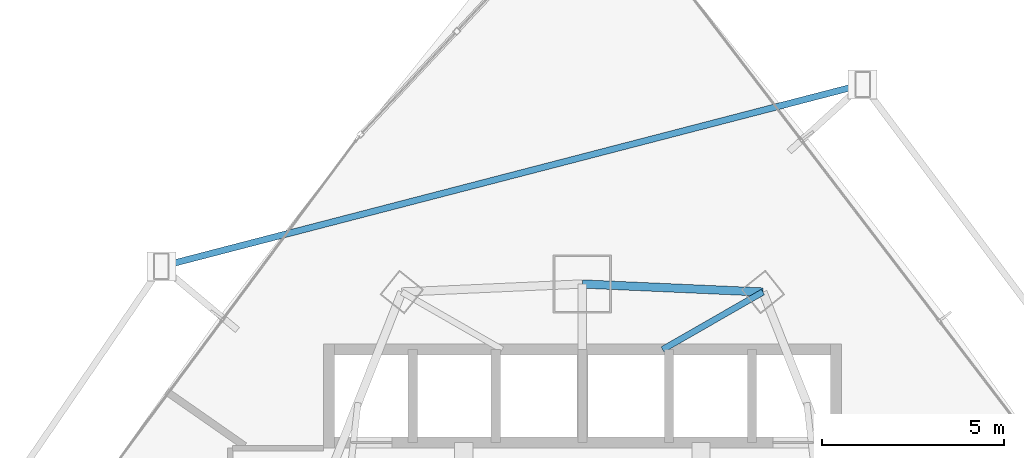
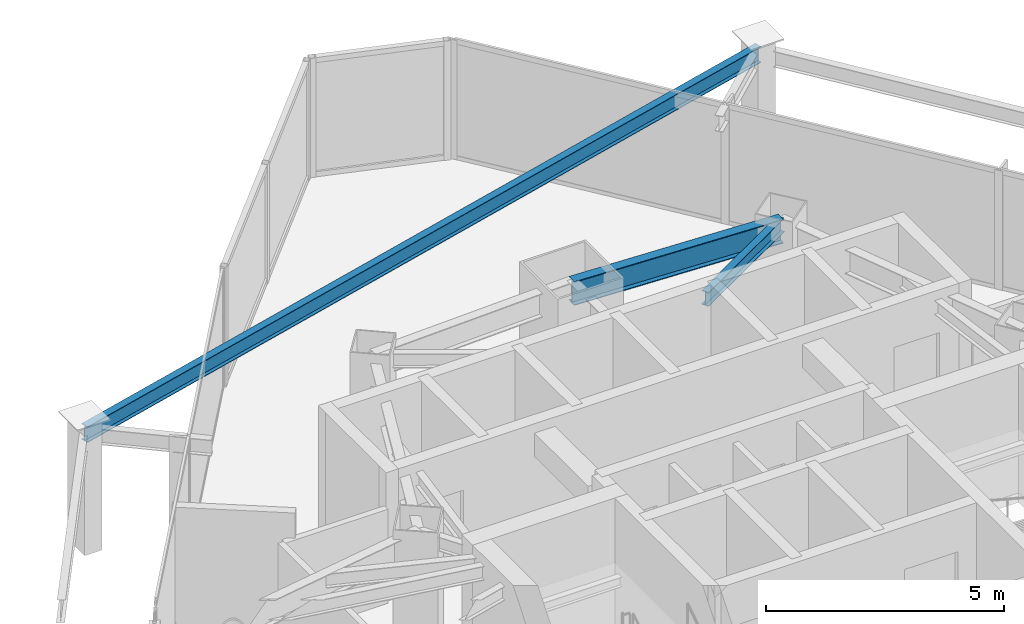
# One storey, part 22 of 33: 3 beams.
"""IFC4 building model written with IfcOpenShell, lengths in metres."""

from ifc_helpers import new_model, si_unit, direction, frame, origin, origin_2d, place, context, subcontext, project, spatial, i_section, extrude, material, material_profile, profile_set, type_object, element, save


model = new_model("IFC4")

# Units and contexts
model_context = context("Model", 3, precision=1e-05, world=origin(), true_north=direction((0.0, 1.0)))
body_context = subcontext(model_context, "Body", "Model", "MODEL_VIEW")
ifc_project = project(units=[si_unit("LENGTHUNIT", "METRE"), si_unit("AREAUNIT", "SQUARE_METRE"), si_unit("VOLUMEUNIT", "CUBIC_METRE"), si_unit("PLANEANGLEUNIT", "RADIAN"), si_unit("MASSUNIT", "GRAM", prefix="KILO")], contexts=[model_context])

# Site, building, storey
site_placement = place(None, origin())
site = spatial("IfcSite", under=ifc_project, at=site_placement, CompositionType="ELEMENT")
building_placement = place(site_placement, origin())
building = spatial("IfcBuilding", under=site, at=building_placement, Name="Orvanel Arch Residences", CompositionType="ELEMENT")
storey_placement = place(building_placement, frame((0.0, 0.0, 70.85009765625)))
storey = spatial("IfcBuildingStorey", under=building, at=storey_placement, Name="L19", CompositionType="ELEMENT", Elevation=70.85009765625)

# Beams
ifc_material = material(Name="Structural steel AS/NZS 3679.1 Grade 300 (300 MPa)", Category="steel")
ifc_material_profile_1 = material_profile(ifc_material, i_section(OverallWidth=0.1708984375, OverallDepth=0.35595703125, WebThickness=0.00732421875, FlangeThickness=0.011474609375, at=origin_2d()), Name="360UB50.7")
ifc_profile_set_1 = profile_set([ifc_material_profile_1], Name="Structural steel AS/NZS 3679.1 Grade 300 (300 MPa)")
beam_type_1 = type_object("IfcBeamType", Name="BJ-360UB", PredefinedType="JOIST", material=ifc_profile_set_1)
beam_1_placement = place(storey_placement, frame((35.199951171875, 39.60009765625, 2.8818359375), z_axis=(0.86736513383, 0.497672306458, 0.0), x_axis=(-0.497672306458, 0.86736513383, 0.0)))
element("IfcBeam", 1, at=beam_1_placement, inside=storey, type_object=beam_type_1, Name="L19 MNE Wing Floor Joist", PredefinedType="JOIST", context=body_context, shape_type="SweptSolid", body=[
    extrude(i_section(OverallWidth=0.1708984375, OverallDepth=0.35595703125, WebThickness=0.00732421875, FlangeThickness=0.011474609375, at=origin_2d()), origin(), (0.0, 0.0, 1.0), 3.17041015625),
])
ifc_material_profile_2 = material_profile(ifc_material, i_section(OverallWidth=0.177978515625, OverallDepth=0.406005859375, WebThickness=0.0078125, FlangeThickness=0.0126953125, at=origin_2d()), Name="410UB59.7")
ifc_profile_set_2 = profile_set([ifc_material_profile_2], Name="Structural steel AS/NZS 3679.1 Grade 300 (300 MPa)")
beam_type_2 = type_object("IfcBeamType", Name="OB-410UB-EXT", PredefinedType="SPANDREL", material=ifc_profile_set_2)
beam_2_placement = place(storey_placement, frame((40.68310546875, 46.867919921875, 2.85693359375), z_axis=(-0.967950984226, -0.251139188768, 0.0), x_axis=(0.251139188768, -0.967950984226, 0.0)))
element("IfcBeam", 2, at=beam_2_placement, inside=storey, type_object=beam_type_2, Name="L19 Outer Perimeter Floor Ring Beam 12", PredefinedType="SPANDREL", context=body_context, shape_type="SweptSolid", body=[
    extrude(i_section(OverallWidth=0.177978515625, OverallDepth=0.406005859375, WebThickness=0.0078125, FlangeThickness=0.0126953125, at=origin_2d()), origin(), (0.0, 0.0, 1.0), 19.861572265625),
])
ifc_material_profile_3 = material_profile(ifc_material, i_section(OverallWidth=0.22900390625, OverallDepth=0.612060546875, WebThickness=0.011962890625, FlangeThickness=0.01953125, at=origin_2d()), Name="610UB125")
ifc_profile_set_3 = profile_set([ifc_material_profile_3], Name="Structural steel AS/NZS 3679.1 Grade 300 (300 MPa)")
beam_type_3 = type_object("IfcBeamType", Name="SP-610UB", PredefinedType="SPANDREL", material=ifc_profile_set_3)
beam_3_placement = place(storey_placement, frame((37.949951171875, 41.177978515625, 2.75390625), z_axis=(-0.999014049296, 0.044395149614, 0.0), x_axis=(-0.044395149614, -0.999014049296, 0.0)))
element("IfcBeam", 3, at=beam_3_placement, inside=storey, type_object=beam_type_3, Name="L19 Perimeter Spandrel Beam 16", PredefinedType="SPANDREL", context=body_context, shape_type="SweptSolid", body=[
    extrude(i_section(OverallWidth=0.22900390625, OverallDepth=0.612060546875, WebThickness=0.011962890625, FlangeThickness=0.01953125, at=origin_2d()), origin(), (0.0, 0.0, 1.0), 4.954833984375),
])

save(model, "model.ifc")
